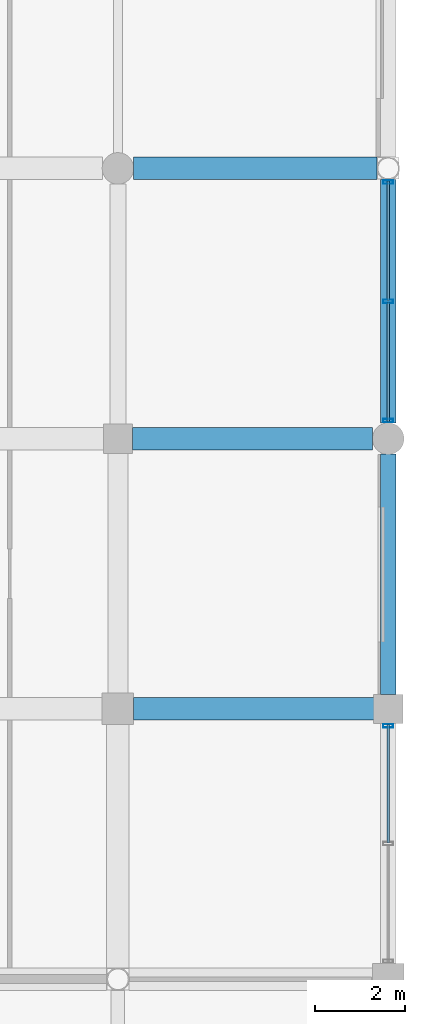
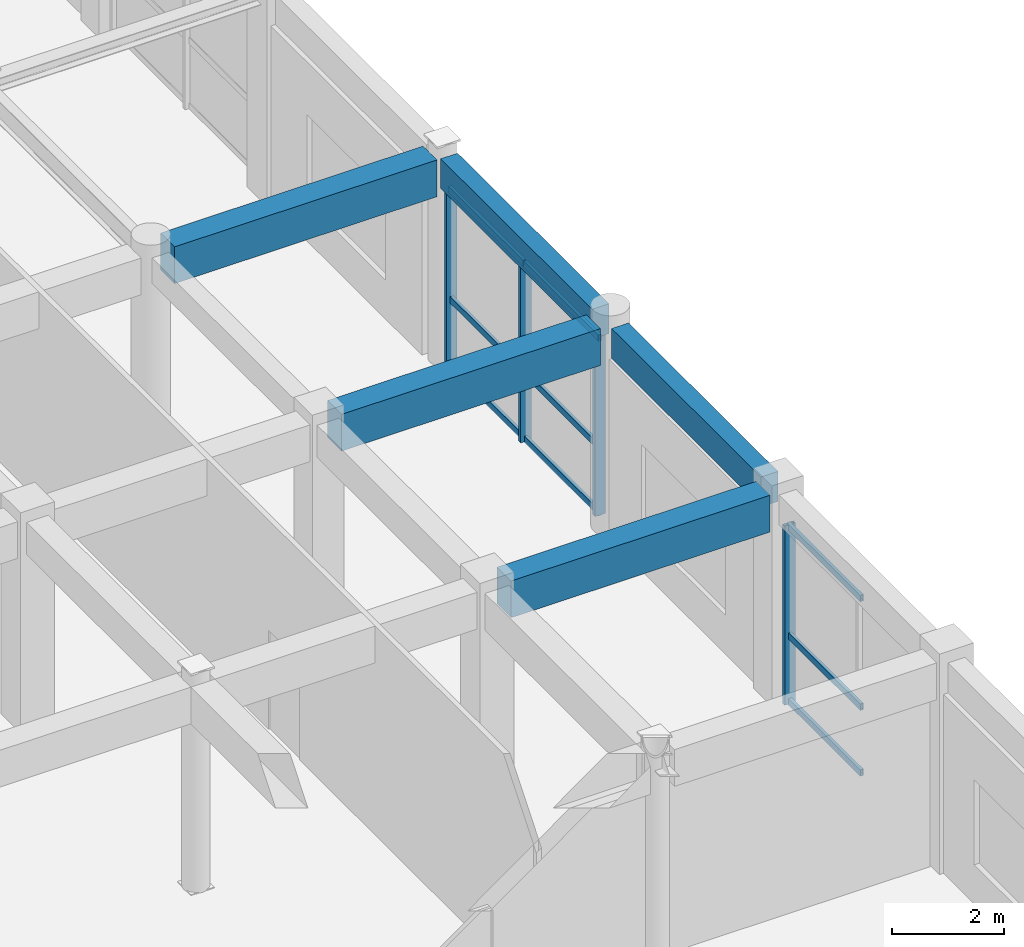
# One storey, part 69 of 112: 13 members, 5 beams, 2 elements without a shape of their own.
"""IFC4 building model written with IfcOpenShell, lengths in metres."""

from ifc_helpers import new_model, si_unit, direction, frame, origin, origin_2d, place, context, subcontext, project, spatial, rectangle, hollow_rectangle, extrude, material, material_profile, profile_set, type_object, element, aggregate, save


model = new_model("IFC4")

# Units and contexts
model_context = context("Model", 3, precision=1e-05, world=origin(), true_north=direction((0.0, 1.0)))
body_context = subcontext(model_context, "Body", "Model", "MODEL_VIEW")
ifc_project = project(units=[si_unit("LENGTHUNIT", "METRE"), si_unit("AREAUNIT", "SQUARE_METRE"), si_unit("VOLUMEUNIT", "CUBIC_METRE"), si_unit("PLANEANGLEUNIT", "RADIAN"), si_unit("MASSUNIT", "GRAM", prefix="KILO"), si_unit("THERMODYNAMICTEMPERATUREUNIT", "KELVIN"), si_unit("POWERUNIT", "WATT")], contexts=[model_context])

# Site, building, storey
site_placement = place(None, origin())
site = spatial("IfcSite", under=ifc_project, at=site_placement, CompositionType="ELEMENT")
building_placement = place(site_placement, origin())
building = spatial("IfcBuilding", under=site, at=building_placement, Name="Phaisarnlok Congress Hotel", CompositionType="ELEMENT")
storey_placement = place(building_placement, frame((0.0, 0.0, 19.800048828125)))
storey = spatial("IfcBuildingStorey", under=building, at=storey_placement, Name="L04", CompositionType="ELEMENT", Elevation=19.800048828125)

# Beams
ifc_material_1 = material(Name="Concrete C40/50", Category="concrete")
ifc_material_profile_1 = material_profile(ifc_material_1, rectangle(XDim=0.5, YDim=0.800048828125, at=origin_2d()), Name="RC 500x800")
ifc_profile_set_1 = profile_set([ifc_material_profile_1], Name="Concrete C40/50")
beam_type_1 = type_object("IfcBeamType", Name="BM-RC-500x800", PredefinedType="BEAM", material=ifc_profile_set_1)
for number, where, z_axis, x_axis, name in (
    (1, (174.344970703125, 66.0, 4.14990234375), (1.0, 0.0, 0.0), (0.0, 1.0, 0.0), "Beam B-04"),
    (2, (174.320068359375, 72.0, 4.14990234375), (1.0, 0.0, 0.0), (0.0, 1.0, 0.0), "Beam B-04"),
):
    element("IfcBeam", number, at=place(storey_placement, frame(where, z_axis=z_axis, x_axis=x_axis)), inside=storey, type_object=beam_type_1, Name=name, PredefinedType="BEAM", context=body_context, shape_type="SweptSolid", body=[
        extrude(rectangle(XDim=0.5, YDim=0.800048828125, at=origin_2d()), origin(), (0.0, 0.0, 1.0), 5.3349609375),
    ])
beam_1_placement = place(storey_placement, frame((174.344970703125, 78.0, 4.14990234375), z_axis=(1.0, 0.0, 0.0), x_axis=(0.0, 1.0, 0.0)))
element("IfcBeam", 3, at=beam_1_placement, inside=storey, type_object=beam_type_1, Name="Beam B-04", PredefinedType="BEAM", context=body_context, shape_type="SweptSolid", body=[
    extrude(rectangle(XDim=0.5, YDim=0.800048828125, at=origin_2d()), origin(), (0.0, 0.0, 1.0), 5.406005859375),
])

# Curtain wall, member
ifc_material_2 = material(Name="Thermally Broken Unitised Aluminium & Low-E Glazing", Category="aluminium")
curtain_wall_type_1 = type_object("IfcCurtainWallType", Name="CW-UNIT-33", PredefinedType="NOTDEFINED", material=ifc_material_2)
curtain_wall_1_placement = place(storey_placement, origin())
curtain_wall_1 = element("IfcCurtainWall", 4, at=curtain_wall_1_placement, inside=storey, type_object=curtain_wall_type_1, Name="Unitised curtain wall CW-33 (L04)", PredefinedType="NOTDEFINED")
ifc_material_3 = material(Name="Anodised Aluminium Alloy 6063-T6", Category="aluminium")
ifc_material_profile_2 = material_profile(ifc_material_3, hollow_rectangle(XDim=0.074951171875, YDim=0.219970703125, WallThickness=0.0048828125, at=origin_2d()), Name="ALU-M 75x220x5")
ifc_profile_set_2 = profile_set([ifc_material_profile_2], Name="Anodised Aluminium Alloy 6063-T6")
member_type_1 = type_object("IfcMemberType", Name="CWM-220", PredefinedType="MULLION", material=ifc_profile_set_2)
member_1_placement = place(storey_placement, frame((180.0, 65.625, 0.0), z_axis=(0.0, 0.0, 1.0), x_axis=(0.0, 1.0, 0.0)))
member_1 = element("IfcMember", 5, at=member_1_placement, type_object=member_type_1, Name="Curtain wall mullion CWM-02", PredefinedType="MULLION", context=body_context, shape_type="SweptSolid", body=[
    extrude(hollow_rectangle(XDim=0.074951171875, YDim=0.219970703125, WallThickness=0.0048828125, at=origin_2d()), origin(), (0.0, 0.0, 1.0), 3.89990234375),
])

# Curtain wall, members
curtain_wall_type_2 = type_object("IfcCurtainWallType", Name="CW-UNIT-34", PredefinedType="NOTDEFINED", material=ifc_material_2)
curtain_wall_2_placement = place(storey_placement, origin())
curtain_wall_2 = element("IfcCurtainWall", 6, at=curtain_wall_2_placement, inside=storey, type_object=curtain_wall_type_2, Name="Unitised curtain wall CW-34 (L04)", PredefinedType="NOTDEFINED")
member_2_placement = place(storey_placement, frame((180.0, 72.39990234375, 0.0), z_axis=(0.0, 0.0, 1.0), x_axis=(0.0, 1.0, 0.0)))
member_2 = element("IfcMember", 7, at=member_2_placement, type_object=member_type_1, Name="Curtain wall mullion CWM-02", PredefinedType="MULLION", context=body_context, shape_type="SweptSolid", body=[
    extrude(hollow_rectangle(XDim=0.074951171875, YDim=0.219970703125, WallThickness=0.0048828125, at=origin_2d()), origin(), (0.0, 0.0, 1.0), 3.89990234375),
])
member_3_placement = place(storey_placement, frame((180.0, 75.048095703125, 0.0), z_axis=(0.0, 0.0, 1.0), x_axis=(0.0, 1.0, 0.0)))
member_3 = element("IfcMember", 8, at=member_3_placement, type_object=member_type_1, Name="Curtain wall mullion CWM-02", PredefinedType="MULLION", context=body_context, shape_type="SweptSolid", body=[
    extrude(hollow_rectangle(XDim=0.074951171875, YDim=0.219970703125, WallThickness=0.0048828125, at=origin_2d()), origin(), (0.0, 0.0, 1.0), 3.89990234375),
])
member_4_placement = place(storey_placement, frame((180.0, 77.696044921875, 0.0), z_axis=(0.0, 0.0, 1.0), x_axis=(0.0, 1.0, 0.0)))
member_4 = element("IfcMember", 9, at=member_4_placement, type_object=member_type_1, Name="Curtain wall mullion CWM-02", PredefinedType="MULLION", context=body_context, shape_type="SweptSolid", body=[
    extrude(hollow_rectangle(XDim=0.074951171875, YDim=0.219970703125, WallThickness=0.0048828125, at=origin_2d()), origin(), (0.0, 0.0, 1.0), 3.89990234375),
])

# Member
ifc_material_profile_3 = material_profile(ifc_material_3, hollow_rectangle(XDim=0.06494140625, YDim=0.139892578125, WallThickness=0.00390625, at=origin_2d()), Name="ALU-T 65x140x4")
ifc_profile_set_3 = profile_set([ifc_material_profile_3], Name="Anodised Aluminium Alloy 6063-T6")
member_type_2 = type_object("IfcMemberType", Name="CWT-150", PredefinedType="USERDEFINED", material=ifc_profile_set_3)
member_5_placement = place(storey_placement, frame((180.0, 63.027587890625, 0.050048828125), z_axis=(0.0, 1.0, 0.0), x_axis=(-1.0, 0.0, 0.0)))
member_5 = element("IfcMember", 10, at=member_5_placement, type_object=member_type_2, Name="Curtain wall transom CWT-01", ObjectType="TRANSOM", PredefinedType="USERDEFINED", context=body_context, shape_type="SweptSolid", body=[
    extrude(hollow_rectangle(XDim=0.06494140625, YDim=0.139892578125, WallThickness=0.00390625, at=origin_2d()), origin(), (0.0, 0.0, 1.0), 2.622314453125),
])

member_6_placement = place(storey_placement, frame((180.0, 63.027587890625, 1.48193359375), z_axis=(0.0, 1.0, 0.0), x_axis=(-1.0, 0.0, 0.0)))
member_6 = element("IfcMember", 11, at=member_6_placement, type_object=member_type_2, Name="Curtain wall transom CWT-01", ObjectType="TRANSOM", PredefinedType="USERDEFINED", context=body_context, shape_type="SweptSolid", body=[
    extrude(hollow_rectangle(XDim=0.06494140625, YDim=0.139892578125, WallThickness=0.00390625, at=origin_2d()), origin(), (0.0, 0.0, 1.0), 2.622314453125),
])

member_7_placement = place(storey_placement, frame((180.0, 63.027587890625, 3.849853515625), z_axis=(0.0, 1.0, 0.0), x_axis=(-1.0, 0.0, 0.0)))
member_7 = element("IfcMember", 12, at=member_7_placement, type_object=member_type_2, Name="Curtain wall transom CWT-01", ObjectType="TRANSOM", PredefinedType="USERDEFINED", context=body_context, shape_type="SweptSolid", body=[
    extrude(hollow_rectangle(XDim=0.06494140625, YDim=0.139892578125, WallThickness=0.00390625, at=origin_2d()), origin(), (0.0, 0.0, 1.0), 2.622314453125),
])

aggregate(curtain_wall_1, [member_1, member_5, member_6, member_7])

member_8_placement = place(storey_placement, frame((180.0, 72.375, 0.050048828125), z_axis=(0.0, 1.0, 0.0), x_axis=(-1.0, 0.0, 0.0)))
member_8 = element("IfcMember", 13, at=member_8_placement, type_object=member_type_2, Name="Curtain wall transom CWT-01", ObjectType="TRANSOM", PredefinedType="USERDEFINED", context=body_context, shape_type="SweptSolid", body=[
    extrude(hollow_rectangle(XDim=0.06494140625, YDim=0.139892578125, WallThickness=0.00390625, at=origin_2d()), origin(), (0.0, 0.0, 1.0), 2.657958984375),
])

member_9_placement = place(storey_placement, frame((180.0, 72.375, 1.48193359375), z_axis=(0.0, 1.0, 0.0), x_axis=(-1.0, 0.0, 0.0)))
member_9 = element("IfcMember", 14, at=member_9_placement, type_object=member_type_2, Name="Curtain wall transom CWT-01", ObjectType="TRANSOM", PredefinedType="USERDEFINED", context=body_context, shape_type="SweptSolid", body=[
    extrude(hollow_rectangle(XDim=0.06494140625, YDim=0.139892578125, WallThickness=0.00390625, at=origin_2d()), origin(), (0.0, 0.0, 1.0), 2.657958984375),
])

member_10_placement = place(storey_placement, frame((180.0, 72.375, 3.849853515625), z_axis=(0.0, 1.0, 0.0), x_axis=(-1.0, 0.0, 0.0)))
member_10 = element("IfcMember", 15, at=member_10_placement, type_object=member_type_2, Name="Curtain wall transom CWT-01", ObjectType="TRANSOM", PredefinedType="USERDEFINED", context=body_context, shape_type="SweptSolid", body=[
    extrude(hollow_rectangle(XDim=0.06494140625, YDim=0.139892578125, WallThickness=0.00390625, at=origin_2d()), origin(), (0.0, 0.0, 1.0), 2.657958984375),
])

member_11_placement = place(storey_placement, frame((180.0, 75.06298828125, 0.050048828125), z_axis=(0.0, 1.0, 0.0), x_axis=(-1.0, 0.0, 0.0)))
member_11 = element("IfcMember", 16, at=member_11_placement, type_object=member_type_2, Name="Curtain wall transom CWT-01", ObjectType="TRANSOM", PredefinedType="USERDEFINED", context=body_context, shape_type="SweptSolid", body=[
    extrude(hollow_rectangle(XDim=0.06494140625, YDim=0.139892578125, WallThickness=0.00390625, at=origin_2d()), origin(), (0.0, 0.0, 1.0), 2.657958984375),
])

member_12_placement = place(storey_placement, frame((180.0, 75.06298828125, 1.48193359375), z_axis=(0.0, 1.0, 0.0), x_axis=(-1.0, 0.0, 0.0)))
member_12 = element("IfcMember", 17, at=member_12_placement, type_object=member_type_2, Name="Curtain wall transom CWT-01", ObjectType="TRANSOM", PredefinedType="USERDEFINED", context=body_context, shape_type="SweptSolid", body=[
    extrude(hollow_rectangle(XDim=0.06494140625, YDim=0.139892578125, WallThickness=0.00390625, at=origin_2d()), origin(), (0.0, 0.0, 1.0), 2.657958984375),
])

member_13_placement = place(storey_placement, frame((180.0, 75.06298828125, 3.849853515625), z_axis=(0.0, 1.0, 0.0), x_axis=(-1.0, 0.0, 0.0)))
member_13 = element("IfcMember", 18, at=member_13_placement, type_object=member_type_2, Name="Curtain wall transom CWT-01", ObjectType="TRANSOM", PredefinedType="USERDEFINED", context=body_context, shape_type="SweptSolid", body=[
    extrude(hollow_rectangle(XDim=0.06494140625, YDim=0.139892578125, WallThickness=0.00390625, at=origin_2d()), origin(), (0.0, 0.0, 1.0), 2.657958984375),
])

aggregate(curtain_wall_2, [member_2, member_3, member_4, member_8, member_9, member_10, member_11, member_12, member_13])

# Beams
ifc_material_profile_4 = material_profile(ifc_material_1, rectangle(XDim=0.35009765625, YDim=0.64990234375, at=origin_2d()), Name="RC 350x650")
ifc_profile_set_4 = profile_set([ifc_material_profile_4], Name="Concrete C40/50")
beam_type_2 = type_object("IfcBeamType", Name="SP-RC-350x650", PredefinedType="SPANDREL", material=ifc_profile_set_4)
beam_2_placement = place(storey_placement, frame((180.0, 66.320068359375, 4.224853515625), z_axis=(0.0, 1.0, 0.0), x_axis=(-1.0, 0.0, 0.0)))
element("IfcBeam", 19, at=beam_2_placement, inside=storey, type_object=beam_type_2, Name="Beam SP-01", PredefinedType="SPANDREL", context=body_context, shape_type="SweptSolid", body=[
    extrude(rectangle(XDim=0.35009765625, YDim=0.64990234375, at=origin_2d()), origin(), (0.0, 0.0, 1.0), 5.3349609375),
])
beam_3_placement = place(storey_placement, frame((180.0, 72.344970703125, 4.224853515625), z_axis=(0.0, 1.0, 0.0), x_axis=(-1.0, 0.0, 0.0)))
element("IfcBeam", 20, at=beam_3_placement, inside=storey, type_object=beam_type_2, Name="Beam SP-01", PredefinedType="SPANDREL", context=body_context, shape_type="SweptSolid", body=[
    extrude(rectangle(XDim=0.35009765625, YDim=0.64990234375, at=origin_2d()), origin(), (0.0, 0.0, 1.0), 5.406005859375),
])

save(model, "model.ifc")
